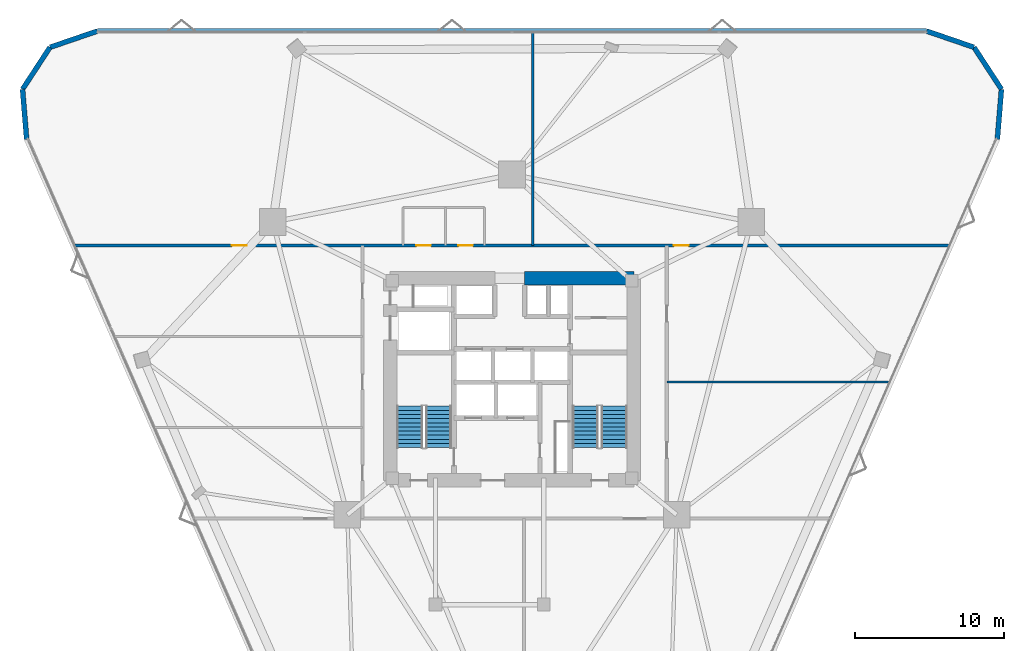
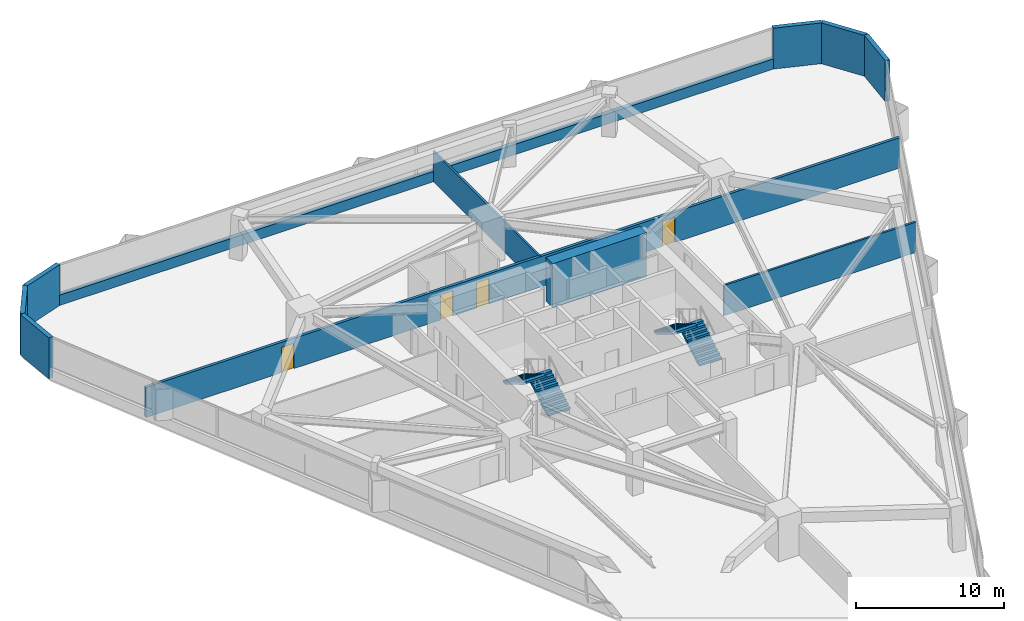
# One storey, part 19 of 20: 11 walls, 4 doors, 4 stair flights, 4 openings, 2 elements without a shape of their own.
"""IFC4 building model written with IfcOpenShell, lengths in metres."""

from ifc_helpers import new_model, si_unit, direction, frame, frame_2d, origin, place, context, subcontext, project, spatial, polyline, rectangle, outline, extrude, material, layer, layer_set, type_object, element, fill, aggregate, save


model = new_model("IFC4")

# Units and contexts
model_context = context("Model", 3, precision=1e-05, world=origin(), true_north=direction((0.0, 1.0)))
body_context = subcontext(model_context, "Body", "Model", "MODEL_VIEW")
ifc_project = project(units=[si_unit("LENGTHUNIT", "METRE"), si_unit("AREAUNIT", "SQUARE_METRE"), si_unit("VOLUMEUNIT", "CUBIC_METRE"), si_unit("PLANEANGLEUNIT", "RADIAN"), si_unit("MASSUNIT", "GRAM", prefix="KILO")], contexts=[model_context])

# Site, building, storey
site_placement = place(None, origin())
site = spatial("IfcSite", under=ifc_project, at=site_placement, CompositionType="ELEMENT")
building_placement = place(site_placement, origin())
building = spatial("IfcBuilding", under=site, at=building_placement, Name="Talyreon Biosciences Tower", CompositionType="ELEMENT")
storey_placement = place(building_placement, frame((0.0, 0.0, 59.300048828125)))
storey = spatial("IfcBuildingStorey", under=building, at=storey_placement, Name="L15", CompositionType="ELEMENT", Elevation=59.300048828125)

# Wall
ifc_material_1 = material(Name="Concrete C60/75", Category="concrete")
ifc_layer_1 = layer(ifc_material_1, 0.89990234375)
ifc_layer_set_1 = layer_set([ifc_layer_1], Name="Concrete C60/75")
wall_type_1 = type_object("IfcWallType", Name="CoreShearWall_900", PredefinedType="SHEAR", material=ifc_layer_set_1)
wall_1_placement = place(storey_placement, frame((74.199951171875, 74.800048828125, 0.0), z_axis=(0.0, 0.0, 1.0), x_axis=(-1.0, 0.0, 0.0)))
element("IfcWall", 1, at=wall_1_placement, inside=storey, type_object=wall_type_1, Name="L15 Core Shear Wall NE", PredefinedType="SHEAR", context=body_context, shape_type="SweptSolid", body=[
    extrude(rectangle(XDim=7.349853515625, YDim=0.89990234375, at=frame_2d((3.6748046875, 0.0))), origin(), (0.0, 0.0, 1.0), 3.64990234375),
])

# Wall, openings, doors
ifc_material_2 = material(Name="Gypsum fireboard acoustic stud", Category="gypsum")
ifc_layer_2 = layer(ifc_material_2, 0.219970703125)
ifc_layer_set_2 = layer_set([ifc_layer_2], Name="Gypsum fireboard acoustic stud")
wall_type_2 = type_object("IfcWallType", Name="CorridorRatedPartition_220", PredefinedType="PARTITIONING", material=ifc_layer_set_2)
wall_2_placement = place(storey_placement, frame((36.542724609375, 77.02001953125, 0.0), z_axis=(0.0, 0.0, 1.0), x_axis=(1.0, 0.0, 0.0)))
wall_2 = element("IfcWall", 2, at=wall_2_placement, inside=storey, type_object=wall_type_2, Name="L15 Interior Wall IW-L15-COR-N", PredefinedType="PARTITIONING", context=body_context, shape_type="SweptSolid", body=[
    extrude(rectangle(XDim=58.91455078125, YDim=0.219970703125, at=frame_2d((29.457275390625, 0.0))), origin(), (0.0, 0.0, 1.0), 2.5048828125),
])
opening_1_placement = place(wall_2_placement, frame((23.01708984375, 0.0, 0.0)))
opening_1 = element("IfcOpeningElement", 3, at=opening_1_placement, cuts=wall_2, Name="Opening DR-L15-WC", PredefinedType="OPENING", context=body_context, shape_type="SweptSolid", body=[
    extrude(rectangle(XDim=0.97998046875, YDim=2.10009765625, at=frame_2d((0.489990234375, 1.050048828125))), frame((0.0, 0.119873046875, 0.0), z_axis=(0.0, -1.0, 0.0), x_axis=(1.0, 0.0, 0.0)), (0.0, 0.0, 1.0), 0.239990234375),
])
opening_2_placement = place(wall_2_placement, frame((25.842041015625, 0.0, 0.0)))
opening_2 = element("IfcOpeningElement", 4, at=opening_2_placement, cuts=wall_2, Name="Opening DR-L15-AWC", PredefinedType="OPENING", context=body_context, shape_type="SweptSolid", body=[
    extrude(rectangle(XDim=0.97998046875, YDim=2.10009765625, at=frame_2d((0.489990234375, 1.050048828125))), frame((0.0, 0.119873046875, 0.0), z_axis=(0.0, -1.0, 0.0), x_axis=(1.0, 0.0, 0.0)), (0.0, 0.0, 1.0), 0.239990234375),
])
opening_3_placement = place(wall_2_placement, frame((10.589111328125, 0.0, 0.0)))
opening_3 = element("IfcOpeningElement", 5, at=opening_3_placement, cuts=wall_2, Name="Opening DR-L15-N1A", PredefinedType="OPENING", context=body_context, shape_type="SweptSolid", body=[
    extrude(rectangle(XDim=1.0, YDim=2.10009765625, at=frame_2d((0.5, 1.050048828125))), frame((0.0, 0.119873046875, 0.0), z_axis=(0.0, -1.0, 0.0), x_axis=(1.0, 0.0, 0.0)), (0.0, 0.0, 1.0), 0.239990234375),
])
opening_4_placement = place(wall_2_placement, frame((40.35595703125, 0.0, 0.0)))
opening_4 = element("IfcOpeningElement", 6, at=opening_4_placement, cuts=wall_2, Name="Opening DR-L15-N2A", PredefinedType="OPENING", context=body_context, shape_type="SweptSolid", body=[
    extrude(rectangle(XDim=1.0, YDim=2.10009765625, at=frame_2d((0.5, 1.050048828125))), frame((0.0, 0.119873046875, 0.0), z_axis=(0.0, -1.0, 0.0), x_axis=(1.0, 0.0, 0.0)), (0.0, 0.0, 1.0), 0.239990234375),
])
ifc_material_3 = material(Name="Laminate moisture-resistant door", Category="wood")
door_type_1 = type_object("IfcDoorType", Name="AccessibleToiletDoor_980x2100", OperationType="NOTDEFINED", PredefinedType="DOOR", material=ifc_material_3)
door_1_placement = place(opening_1_placement, origin())
door_1 = element("IfcDoor", 7, at=door_1_placement, inside=storey, type_object=door_type_1, Name="L15 Interior Door DR-L15-WC", OperationType="SINGLE_SWING_LEFT", OverallHeight=2.10009765625, OverallWidth=0.97998046875, PredefinedType="DOOR", context=body_context, shape_type="SweptSolid", body=[
    extrude(rectangle(XDim=0.97998046875, YDim=2.10009765625, at=frame_2d((0.489990234375, 1.050048828125))), frame((0.0, 0.02490234375, 0.0), z_axis=(0.0, -1.0, 0.0), x_axis=(1.0, 0.0, 0.0)), (0.0, 0.0, 1.0), 0.050048828125),
])
fill(opening_1, door_1)
door_2_placement = place(opening_2_placement, origin())
door_2 = element("IfcDoor", 8, at=door_2_placement, inside=storey, type_object=door_type_1, Name="L15 Interior Door DR-L15-AWC", OperationType="SINGLE_SWING_LEFT", OverallHeight=2.10009765625, OverallWidth=0.97998046875, PredefinedType="DOOR", context=body_context, shape_type="SweptSolid", body=[
    extrude(rectangle(XDim=0.97998046875, YDim=2.10009765625, at=frame_2d((0.489990234375, 1.050048828125))), frame((0.0, 0.02490234375, 0.0), z_axis=(0.0, -1.0, 0.0), x_axis=(1.0, 0.0, 0.0)), (0.0, 0.0, 1.0), 0.050048828125),
])
fill(opening_2, door_2)
ifc_material_4 = material(Name="Acoustic oak veneer office door", Category="wood")
door_type_2 = type_object("IfcDoorType", Name="WriteupOfficeDoor_1000x2100", OperationType="NOTDEFINED", PredefinedType="DOOR", material=ifc_material_4)
door_3_placement = place(opening_3_placement, origin())
door_3 = element("IfcDoor", 9, at=door_3_placement, inside=storey, type_object=door_type_2, Name="L15 Interior Door DR-L15-N1A", OperationType="SINGLE_SWING_RIGHT", OverallHeight=2.10009765625, OverallWidth=1.0, PredefinedType="DOOR", context=body_context, shape_type="SweptSolid", body=[
    extrude(rectangle(XDim=1.0, YDim=2.10009765625, at=frame_2d((0.5, 1.050048828125))), frame((0.0, 0.02490234375, 0.0), z_axis=(0.0, -1.0, 0.0), x_axis=(1.0, 0.0, 0.0)), (0.0, 0.0, 1.0), 0.050048828125),
])
fill(opening_3, door_3)
door_4_placement = place(opening_4_placement, origin())
door_4 = element("IfcDoor", 10, at=door_4_placement, inside=storey, type_object=door_type_2, Name="L15 Interior Door DR-L15-N2A", OperationType="SINGLE_SWING_RIGHT", OverallHeight=2.10009765625, OverallWidth=1.0, PredefinedType="DOOR", context=body_context, shape_type="SweptSolid", body=[
    extrude(rectangle(XDim=1.0, YDim=2.10009765625, at=frame_2d((0.5, 1.050048828125))), frame((0.0, 0.02490234375, 0.0), z_axis=(0.0, -1.0, 0.0), x_axis=(1.0, 0.0, 0.0)), (0.0, 0.0, 1.0), 0.050048828125),
])
fill(opening_4, door_4)

# Walls
ifc_material_5 = material(Name="Gypsum acoustic stud partition", Category="gypsum")
ifc_layer_3 = layer(ifc_material_5, 0.159912109375)
ifc_layer_set_3 = layer_set([ifc_layer_3], Name="Gypsum acoustic stud partition")
wall_type_3 = type_object("IfcWallType", Name="LabSeparationPartition_160", PredefinedType="PARTITIONING", material=ifc_layer_set_3)
wall_3_placement = place(storey_placement, frame((67.39990234375, 77.02001953125, 0.0), z_axis=(0.0, 0.0, 1.0), x_axis=(0.0, 1.0, 0.0)))
element("IfcWall", 11, at=wall_3_placement, inside=storey, type_object=wall_type_3, Name="L15 Interior Wall IW-L15-NDIV1", PredefinedType="PARTITIONING", context=body_context, shape_type="SweptSolid", body=[
    extrude(rectangle(XDim=14.348876953125, YDim=0.159912109375, at=frame_2d((7.17431640625, 0.0))), origin(), (0.0, 0.0, 1.0), 2.5048828125),
])
wall_4_placement = place(storey_placement, frame((76.419921875, 67.824951171875, 0.0), z_axis=(0.0, 0.0, 1.0), x_axis=(1.0, 0.0, 0.0)))
element("IfcWall", 12, at=wall_4_placement, inside=storey, type_object=wall_type_3, Name="L15 Interior Wall IW-L15-EDIV1", PredefinedType="PARTITIONING", context=body_context, shape_type="SweptSolid", body=[
    extrude(rectangle(XDim=15.0126953125, YDim=0.159912109375, at=frame_2d((7.50634765625, 0.0))), origin(), (0.0, 0.0, 1.0), 2.5048828125),
])
ifc_material_6 = material(Name="Precast concrete C45/55", Category="concrete")
ifc_layer_4 = layer(ifc_material_6, 0.340087890625)
ifc_layer_set_4 = layer_set([ifc_layer_4], Name="Precast concrete C45/55")
wall_type_4 = type_object("IfcWallType", Name="PrecastConcreteSpandrelWall_340", PredefinedType="STANDARD", material=ifc_layer_set_4)
wall_5_placement = place(storey_placement, frame((33.32080078125, 84.168701171875, 0.0), z_axis=(0.0, 0.0, 1.0), x_axis=(-0.081866354697, 0.996643316322, 0.0)))
element("IfcWall", 13, at=wall_5_placement, inside=storey, type_object=wall_type_4, Name="L15 Rounded-Corner Concrete Pier 01", PredefinedType="STANDARD", context=body_context, shape_type="SweptSolid", body=[
    extrude(rectangle(XDim=3.375732421875, YDim=0.340087890625, at=frame_2d((1.68798828125, 0.0))), origin(), (0.0, 0.0, 1.0), 3.375),
])
for number, where, z_axis, x_axis, name in (
    (14, (33.04443359375, 87.533203125, 0.0), (0.0, 0.0, 1.0), (0.547284438328, 0.836946679045, 0.0), "L15 Rounded-Corner Concrete Pier 02"),
    (15, (34.891845703125, 90.3583984375, 0.0), (0.0, 0.0, 1.0), (0.945876821371, 0.324525867678, 0.0), "L15 Rounded-Corner Concrete Pier 03"),
):
    element("IfcWall", number, at=place(storey_placement, frame(where, z_axis=z_axis, x_axis=x_axis)), inside=storey, type_object=wall_type_4, Name=name, PredefinedType="STANDARD", context=body_context, shape_type="SweptSolid", body=[
        extrude(rectangle(XDim=3.37548828125, YDim=0.340087890625, at=frame_2d((1.687744140625, 0.0))), origin(), (0.0, 0.0, 1.0), 3.375),
    ])
wall_6_placement = place(storey_placement, frame((38.084716796875, 91.453857421875, 0.0), z_axis=(0.0, 0.0, 1.0), x_axis=(1.0, 0.0, 0.0)))
element("IfcWall", 16, at=wall_6_placement, inside=storey, type_object=wall_type_4, Name="L15 Expressed Concrete Sill Wall 04", PredefinedType="STANDARD", context=body_context, shape_type="SweptSolid", body=[
    extrude(rectangle(XDim=55.83056640625, YDim=0.340087890625, at=frame_2d((27.915283203125, 0.0))), origin(), (0.0, 0.0, 1.0), 0.849853515625),
])
for number, where, z_axis, x_axis, name in (
    (17, (93.915283203125, 91.453857421875, 0.0), (0.0, 0.0, 1.0), (0.945876821371, -0.324525867678, 0.0), "L15 Rounded-Corner Concrete Pier 05"),
    (18, (97.108154296875, 90.3583984375, 0.0), (0.0, 0.0, 1.0), (0.547284438328, -0.836946679045, 0.0), "L15 Rounded-Corner Concrete Pier 06"),
):
    element("IfcWall", number, at=place(storey_placement, frame(where, z_axis=z_axis, x_axis=x_axis)), inside=storey, type_object=wall_type_4, Name=name, PredefinedType="STANDARD", context=body_context, shape_type="SweptSolid", body=[
        extrude(rectangle(XDim=3.37548828125, YDim=0.340087890625, at=frame_2d((1.687744140625, 0.0))), origin(), (0.0, 0.0, 1.0), 3.375),
    ])
wall_7_placement = place(storey_placement, frame((98.95556640625, 87.533203125, 0.0), z_axis=(0.0, 0.0, 1.0), x_axis=(-0.081866354697, -0.996643316322, 0.0)))
element("IfcWall", 19, at=wall_7_placement, inside=storey, type_object=wall_type_4, Name="L15 Rounded-Corner Concrete Pier 07", PredefinedType="STANDARD", context=body_context, shape_type="SweptSolid", body=[
    extrude(rectangle(XDim=3.375732421875, YDim=0.340087890625, at=frame_2d((1.68798828125, 0.0))), origin(), (0.0, 0.0, 1.0), 3.375),
])

# Stair, stair flights
ifc_material_7 = material(Name="Concrete C40/50", Category="concrete")
stair_type = type_object("IfcStairType", Name="DoglegEscapeStair_3650", PredefinedType="HALF_TURN_STAIR", material=ifc_material_7)
stair_1_placement = place(storey_placement, origin())
stair_1 = element("IfcStair", 20, at=stair_1_placement, inside=storey, type_object=stair_type, Name="L15 Core Escape Stair 1", PredefinedType="HALF_TURN_STAIR")
stair_flight_type = type_object("IfcStairFlightType", Name="PrecastStairFlight_3650", PredefinedType="STRAIGHT", material=ifc_material_7)
stair_flight_1_placement = place(storey_placement, frame((61.06005859375, 63.39990234375, 0.0), z_axis=(0.0, 0.0, 1.0), x_axis=(0.0, 1.0, 0.0)))
stair_flight_1 = element("IfcStairFlight", 21, at=stair_flight_1_placement, type_object=stair_flight_type, Name="ST-1 flight 1", NumberOfRisers=11, NumberOfTreads=10, PredefinedType="STRAIGHT", RiserHeight=0.165909091, TreadLength=0.28, context=body_context, shape_type="SweptSolid", body=[
    extrude(outline(polyline([(0.0, 0.0), (0.0, 0.166015625), (0.280029296875, 0.166015625), (0.280029296875, 0.331787109375), (0.56005859375, 0.331787109375), (0.56005859375, 0.497802734375), (0.840087890625, 0.497802734375), (0.840087890625, 0.66357421875), (1.1201171875, 0.66357421875), (1.1201171875, 0.82958984375), (1.39990234375, 0.82958984375), (1.39990234375, 0.995361328125), (1.679931640625, 0.995361328125), (1.679931640625, 1.161376953125), (1.9599609375, 1.161376953125), (1.9599609375, 1.327392578125), (2.239990234375, 1.327392578125), (2.239990234375, 1.4931640625), (2.52001953125, 1.4931640625), (2.52001953125, 1.6591796875), (2.800048828125, 1.6591796875), (2.800048828125, 1.824951171875), (2.800048828125, 1.48486328125), (0.2939453125, 0.0), (0.0, 0.0)])), frame((0.0, 0.8701171875, 0.0), z_axis=(0.0, -1.0, 0.0), x_axis=(1.0, 0.0, 0.0)), (0.0, 0.0, 1.0), 1.739990234375),
])
stair_flight_2_placement = place(storey_placement, frame((59.1201171875, 66.199951171875, 1.824951171875), z_axis=(0.0, 0.0, 1.0), x_axis=(0.0, -1.0, 0.0)))
stair_flight_2 = element("IfcStairFlight", 22, at=stair_flight_2_placement, type_object=stair_flight_type, Name="ST-1 flight 2", NumberOfRisers=11, NumberOfTreads=10, PredefinedType="STRAIGHT", RiserHeight=0.165909091, TreadLength=0.28, context=body_context, shape_type="SweptSolid", body=[
    extrude(outline(polyline([(0.0, 0.0), (0.0, 0.166015625), (0.280029296875, 0.166015625), (0.280029296875, 0.331787109375), (0.56005859375, 0.331787109375), (0.56005859375, 0.497802734375), (0.840087890625, 0.497802734375), (0.840087890625, 0.66357421875), (1.1201171875, 0.66357421875), (1.1201171875, 0.82958984375), (1.39990234375, 0.82958984375), (1.39990234375, 0.995361328125), (1.679931640625, 0.995361328125), (1.679931640625, 1.161376953125), (1.9599609375, 1.161376953125), (1.9599609375, 1.327392578125), (2.239990234375, 1.327392578125), (2.239990234375, 1.4931640625), (2.52001953125, 1.4931640625), (2.52001953125, 1.6591796875), (2.800048828125, 1.6591796875), (2.800048828125, 1.824951171875), (2.800048828125, 1.48486328125), (0.2939453125, 0.0), (0.0, 0.0)])), frame((0.0, 0.8701171875, 0.0), z_axis=(0.0, -1.0, 0.0), x_axis=(1.0, 0.0, 0.0)), (0.0, 0.0, 1.0), 1.739990234375),
])
aggregate(stair_1, [stair_flight_1, stair_flight_2])

stair_2_placement = place(storey_placement, origin())
stair_2 = element("IfcStair", 23, at=stair_2_placement, inside=storey, type_object=stair_type, Name="L15 Core Escape Stair 2", PredefinedType="HALF_TURN_STAIR")
stair_flight_3_placement = place(storey_placement, frame((72.8798828125, 63.39990234375, 0.0), z_axis=(0.0, 0.0, 1.0), x_axis=(0.0, 1.0, 0.0)))
stair_flight_3 = element("IfcStairFlight", 24, at=stair_flight_3_placement, type_object=stair_flight_type, Name="ST-2 flight 1", NumberOfRisers=11, NumberOfTreads=10, PredefinedType="STRAIGHT", RiserHeight=0.165909091, TreadLength=0.28, context=body_context, shape_type="SweptSolid", body=[
    extrude(outline(polyline([(0.0, 0.0), (0.0, 0.166015625), (0.280029296875, 0.166015625), (0.280029296875, 0.331787109375), (0.56005859375, 0.331787109375), (0.56005859375, 0.497802734375), (0.840087890625, 0.497802734375), (0.840087890625, 0.66357421875), (1.1201171875, 0.66357421875), (1.1201171875, 0.82958984375), (1.39990234375, 0.82958984375), (1.39990234375, 0.995361328125), (1.679931640625, 0.995361328125), (1.679931640625, 1.161376953125), (1.9599609375, 1.161376953125), (1.9599609375, 1.327392578125), (2.239990234375, 1.327392578125), (2.239990234375, 1.4931640625), (2.52001953125, 1.4931640625), (2.52001953125, 1.6591796875), (2.800048828125, 1.6591796875), (2.800048828125, 1.824951171875), (2.800048828125, 1.48486328125), (0.2939453125, 0.0), (0.0, 0.0)])), frame((0.0, 0.8701171875, 0.0), z_axis=(0.0, -1.0, 0.0), x_axis=(1.0, 0.0, 0.0)), (0.0, 0.0, 1.0), 1.739990234375),
])
stair_flight_4_placement = place(storey_placement, frame((70.93994140625, 66.199951171875, 1.824951171875), z_axis=(0.0, 0.0, 1.0), x_axis=(0.0, -1.0, 0.0)))
stair_flight_4 = element("IfcStairFlight", 25, at=stair_flight_4_placement, type_object=stair_flight_type, Name="ST-2 flight 2", NumberOfRisers=11, NumberOfTreads=10, PredefinedType="STRAIGHT", RiserHeight=0.165909091, TreadLength=0.28, context=body_context, shape_type="SweptSolid", body=[
    extrude(outline(polyline([(0.0, 0.0), (0.0, 0.166015625), (0.280029296875, 0.166015625), (0.280029296875, 0.331787109375), (0.56005859375, 0.331787109375), (0.56005859375, 0.497802734375), (0.840087890625, 0.497802734375), (0.840087890625, 0.66357421875), (1.1201171875, 0.66357421875), (1.1201171875, 0.82958984375), (1.39990234375, 0.82958984375), (1.39990234375, 0.995361328125), (1.679931640625, 0.995361328125), (1.679931640625, 1.161376953125), (1.9599609375, 1.161376953125), (1.9599609375, 1.327392578125), (2.239990234375, 1.327392578125), (2.239990234375, 1.4931640625), (2.52001953125, 1.4931640625), (2.52001953125, 1.6591796875), (2.800048828125, 1.6591796875), (2.800048828125, 1.824951171875), (2.800048828125, 1.48486328125), (0.2939453125, 0.0), (0.0, 0.0)])), frame((0.0, 0.8701171875, 0.0), z_axis=(0.0, -1.0, 0.0), x_axis=(1.0, 0.0, 0.0)), (0.0, 0.0, 1.0), 1.739990234375),
])
aggregate(stair_2, [stair_flight_3, stair_flight_4])

save(model, "model.ifc")
